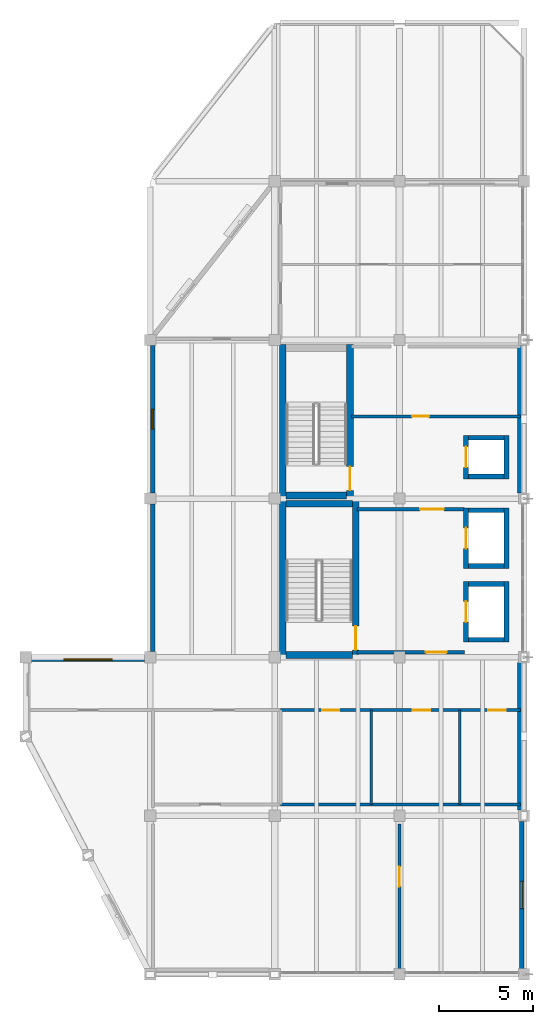
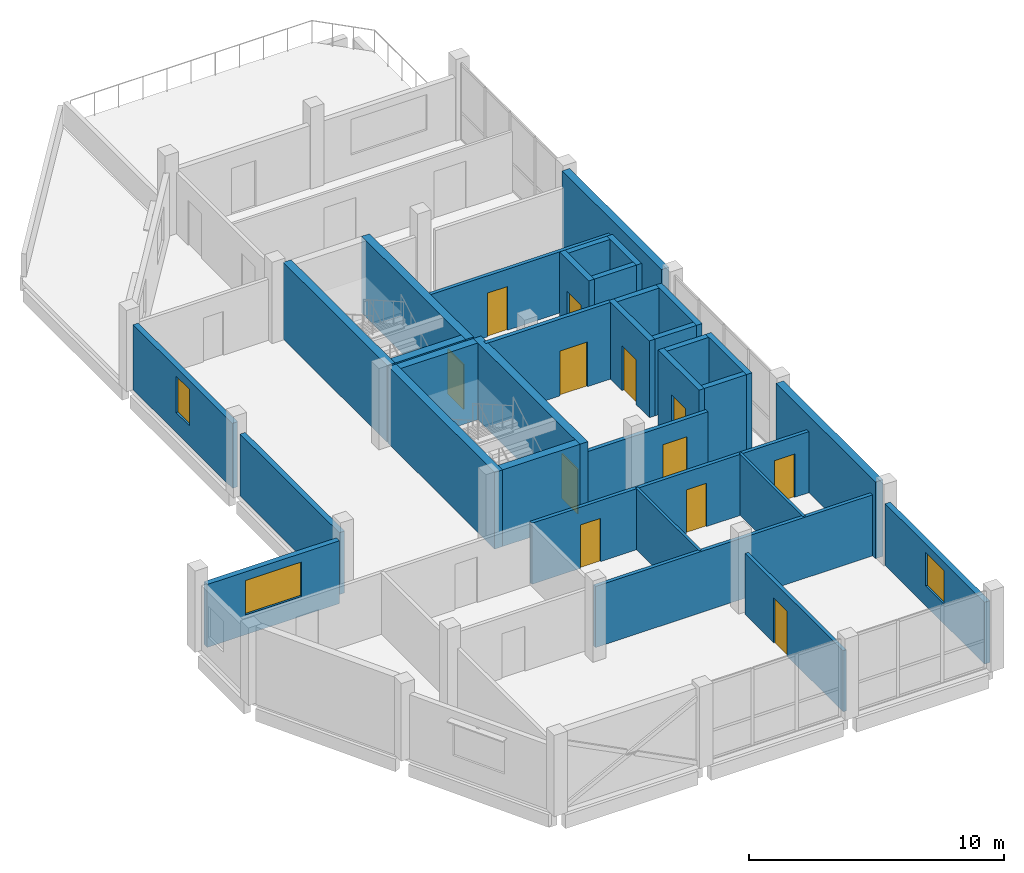
# One storey, part 6 of 10: 33 walls, 12 doors, 3 windows, 15 openings.
"""IFC4 building model written with IfcOpenShell, lengths in metres."""

from ifc_helpers import new_model, si_unit, direction, frame, frame_2d, origin, place, context, subcontext, project, spatial, rectangle, extrude, material, layer, layer_set, type_object, element, fill, save


model = new_model("IFC4")

# Units and contexts
model_context = context("Model", 3, precision=1e-05, world=origin(), true_north=direction((0.0, 1.0)))
body_context = subcontext(model_context, "Body", "Model", "MODEL_VIEW")
ifc_project = project(units=[si_unit("LENGTHUNIT", "METRE"), si_unit("AREAUNIT", "SQUARE_METRE"), si_unit("VOLUMEUNIT", "CUBIC_METRE"), si_unit("PLANEANGLEUNIT", "RADIAN"), si_unit("MASSUNIT", "GRAM", prefix="KILO")], contexts=[model_context])

# Site, building, storey
site_placement = place(None, origin())
site = spatial("IfcSite", under=ifc_project, at=site_placement, CompositionType="ELEMENT")
building_placement = place(site_placement, origin())
building = spatial("IfcBuilding", under=site, at=building_placement, Name="Qaldarim Faculty of Natural and Applied Sciences", CompositionType="ELEMENT")
storey_placement = place(building_placement, frame((0.0, 0.0, 39.300048828125)))
storey = spatial("IfcBuildingStorey", under=building, at=storey_placement, Name="L09", CompositionType="ELEMENT", Elevation=39.300048828125)

# Walls
ifc_material_1 = material(Name="Painted gypsum partition board")
ifc_layer_1 = layer(ifc_material_1, 0.1201171875)
ifc_layer_set_1 = layer_set([ifc_layer_1], Name="Painted gypsum partition board")
wall_type_1 = type_object("IfcWallType", Name="AcousticPartition-120", PredefinedType="PARTITIONING", material=ifc_layer_set_1)
for number, where, z_axis, x_axis, name in (
    (1, (170.10009765625, 9.0, 0.0), (0.0, 0.0, 1.0), (0.0, 1.0, 0.0), "Interior partition PRT-L09-V5-WCD1"),
    (2, (174.800048828125, 9.0, 0.0), (0.0, 0.0, 1.0), (0.0, 1.0, 0.0), "Interior partition PRT-L09-V5-WCD2"),
):
    element("IfcWall", number, at=place(storey_placement, frame(where, z_axis=z_axis, x_axis=x_axis)), inside=storey, type_object=wall_type_1, Name=name, PredefinedType="PARTITIONING", context=body_context, shape_type="SweptSolid", body=[
        extrude(rectangle(XDim=5.0, YDim=0.1201171875, at=frame_2d((2.5, 0.0))), origin(), (0.0, 0.0, 1.0), 2.929931640625),
    ])
ifc_material_2 = material(Name="Concrete C50/60", Category="concrete")
ifc_layer_2 = layer(ifc_material_2, 0.360107421875)
ifc_layer_set_2 = layer_set([ifc_layer_2], Name="Concrete C50/60")
wall_type_2 = type_object("IfcWallType", Name="CoreShearWall-360", PredefinedType="SHEAR", material=ifc_layer_set_2)
wall_1_placement = place(storey_placement, frame((165.419921875, 16.739990234375, 0.0), z_axis=(0.0, 0.0, 1.0), x_axis=(0.0, 1.0, 0.0)))
element("IfcWall", 3, at=wall_1_placement, inside=storey, type_object=wall_type_2, Name="Core stair ST-A1 west shear wall L09", PredefinedType="SHEAR", context=body_context, shape_type="SweptSolid", body=[
    extrude(rectangle(XDim=8.3701171875, YDim=0.360107421875, at=frame_2d((4.18505859375, 0.0))), origin(), (0.0, 0.0, 1.0), 3.679931640625),
])

# Wall, opening, door
wall_2_placement = place(storey_placement, frame((169.280029296875, 16.739990234375, 0.0), z_axis=(0.0, 0.0, 1.0), x_axis=(0.0, 1.0, 0.0)))
wall_2 = element("IfcWall", 4, at=wall_2_placement, inside=storey, type_object=wall_type_2, Name="Core stair ST-A1 east shear wall L09", PredefinedType="SHEAR", context=body_context, shape_type="SweptSolid", body=[
    extrude(rectangle(XDim=8.3701171875, YDim=0.360107421875, at=frame_2d((4.18505859375, 0.0))), origin(), (0.0, 0.0, 1.0), 3.679931640625),
])
opening_1_placement = place(wall_2_placement, frame((0.449951171875, 0.0, 0.0)))
opening_1 = element("IfcOpeningElement", 5, at=opening_1_placement, cuts=wall_2, Name="Opening ID04", PredefinedType="OPENING", context=body_context, shape_type="SweptSolid", body=[
    extrude(rectangle(XDim=1.25, YDim=2.14990234375, at=frame_2d((0.625, 1.074951171875))), frame((0.0, 0.18994140625, 0.0), z_axis=(0.0, -1.0, 0.0), x_axis=(1.0, 0.0, 0.0)), (0.0, 0.0, 1.0), 0.380126953125),
])
ifc_material_3 = material(Name="Architectural stainless steel 316", Category="steel")
door_type_1 = type_object("IfcDoorType", Name="StairEnclosureFireDoor-1250x2150", OperationType="NOTDEFINED", PredefinedType="DOOR", material=ifc_material_3)
door_1_placement = place(opening_1_placement, origin())
door_1 = element("IfcDoor", 6, at=door_1_placement, inside=storey, type_object=door_type_1, Name="Protected stair ST-A1 fire door D-L09-511", OperationType="SINGLE_SWING_LEFT", OverallHeight=2.14990234375, OverallWidth=1.25, PredefinedType="DOOR", context=body_context, shape_type="SweptSolid", body=[
    extrude(rectangle(XDim=1.25, YDim=2.14990234375, at=frame_2d((0.625, 1.074951171875))), frame((0.0, 0.02490234375, 0.0), z_axis=(0.0, -1.0, 0.0), x_axis=(1.0, 0.0, 0.0)), (0.0, 0.0, 1.0), 0.050048828125),
])
fill(opening_1, door_1)

# Walls
for number, where, z_axis, x_axis, name in (
    (7, (165.60009765625, 24.929931640625, 0.0), (0.0, 0.0, 1.0), (1.0, 0.0, 0.0), "Core stair ST-A1 north shear wall L09"),
    (8, (165.60009765625, 16.919921875, 0.0), (0.0, 0.0, 1.0), (1.0, 0.0, 0.0), "Core stair ST-A1 south shear wall L09"),
):
    element("IfcWall", number, at=place(storey_placement, frame(where, z_axis=z_axis, x_axis=x_axis)), inside=storey, type_object=wall_type_2, Name=name, PredefinedType="SHEAR", context=body_context, shape_type="SweptSolid", body=[
        extrude(rectangle(XDim=3.5, YDim=0.360107421875, at=frame_2d((1.75, 0.0))), origin(), (0.0, 0.0, 1.0), 3.679931640625),
    ])
wall_3_placement = place(storey_placement, frame((165.419921875, 25.18994140625, 0.0), z_axis=(0.0, 0.0, 1.0), x_axis=(0.0, 1.0, 0.0)))
element("IfcWall", 9, at=wall_3_placement, inside=storey, type_object=wall_type_2, Name="Core stair ST-A2 west shear wall L09", PredefinedType="SHEAR", context=body_context, shape_type="SweptSolid", body=[
    extrude(rectangle(XDim=8.170166015625, YDim=0.360107421875, at=frame_2d((4.0849609375, 0.0))), origin(), (0.0, 0.0, 1.0), 3.679931640625),
])

# Wall, opening, door
wall_4_placement = place(storey_placement, frame((168.97998046875, 25.18994140625, 0.0), z_axis=(0.0, 0.0, 1.0), x_axis=(0.0, 1.0, 0.0)))
wall_4 = element("IfcWall", 10, at=wall_4_placement, inside=storey, type_object=wall_type_2, Name="Core stair ST-A2 east shear wall L09", PredefinedType="SHEAR", context=body_context, shape_type="SweptSolid", body=[
    extrude(rectangle(XDim=8.170166015625, YDim=0.360107421875, at=frame_2d((4.0849609375, 0.0))), origin(), (0.0, 0.0, 1.0), 3.679931640625),
])
opening_2_placement = place(wall_4_placement, frame((0.449951171875, 0.0, 0.0)))
opening_2 = element("IfcOpeningElement", 11, at=opening_2_placement, cuts=wall_4, Name="Opening ID04", PredefinedType="OPENING", context=body_context, shape_type="SweptSolid", body=[
    extrude(rectangle(XDim=1.25, YDim=2.14990234375, at=frame_2d((0.625, 1.074951171875))), frame((0.0, 0.18994140625, 0.0), z_axis=(0.0, -1.0, 0.0), x_axis=(1.0, 0.0, 0.0)), (0.0, 0.0, 1.0), 0.380126953125),
])
door_2_placement = place(opening_2_placement, origin())
door_2 = element("IfcDoor", 12, at=door_2_placement, inside=storey, type_object=door_type_1, Name="Protected stair ST-A2 fire door D-L09-523", OperationType="SINGLE_SWING_LEFT", OverallHeight=2.14990234375, OverallWidth=1.25, PredefinedType="DOOR", context=body_context, shape_type="SweptSolid", body=[
    extrude(rectangle(XDim=1.25, YDim=2.14990234375, at=frame_2d((0.625, 1.074951171875))), frame((0.0, 0.02490234375, 0.0), z_axis=(0.0, -1.0, 0.0), x_axis=(1.0, 0.0, 0.0)), (0.0, 0.0, 1.0), 0.050048828125),
])
fill(opening_2, door_2)

# Wall
wall_5_placement = place(storey_placement, frame((165.60009765625, 25.3701171875, 0.0), z_axis=(0.0, 0.0, 1.0), x_axis=(1.0, 0.0, 0.0)))
element("IfcWall", 13, at=wall_5_placement, inside=storey, type_object=wall_type_2, Name="Core stair ST-A2 south shear wall L09", PredefinedType="SHEAR", context=body_context, shape_type="SweptSolid", body=[
    extrude(rectangle(XDim=3.199951171875, YDim=0.360107421875, at=frame_2d((1.60009765625, 0.0))), origin(), (0.0, 0.0, 1.0), 3.679931640625),
])

# Wall, opening, window
ifc_material_4 = material(Name="Precast concrete C40/50", Category="concrete")
ifc_layer_3 = layer(ifc_material_4, 0.239990234375)
ifc_layer_set_3 = layer_set([ifc_layer_3], Name="Precast concrete C40/50")
wall_type_3 = type_object("IfcWallType", Name="ExteriorInsulatedWall-240", PredefinedType="SOLIDWALL", material=ifc_layer_set_3)
wall_6_placement = place(storey_placement, frame((158.10498046875, 16.679931640625, 0.0), z_axis=(0.0, 0.0, 1.0), x_axis=(-1.0, 0.0, 0.0)))
wall_6 = element("IfcWall", 14, at=wall_6_placement, inside=storey, type_object=wall_type_3, Name="Exterior wall EW03 L09 N X24Y02", PredefinedType="SOLIDWALL", context=body_context, shape_type="SweptSolid", body=[
    extrude(rectangle(XDim=6.010009765625, YDim=0.239990234375, at=frame_2d((3.0048828125, 0.0))), origin(), (0.0, 0.0, 1.0), 3.014892578125),
])
opening_3_placement = place(wall_6_placement, frame((1.72998046875, 0.0, 0.949951171875)))
opening_3 = element("IfcOpeningElement", 15, at=opening_3_placement, cuts=wall_6, Name="Opening WN13", PredefinedType="OPENING", context=body_context, shape_type="SweptSolid", body=[
    extrude(rectangle(XDim=2.550048828125, YDim=1.64990234375, at=frame_2d((1.27490234375, 0.824951171875))), frame((0.0, 0.1298828125, 0.0), z_axis=(0.0, -1.0, 0.0), x_axis=(1.0, 0.0, 0.0)), (0.0, 0.0, 1.0), 0.260009765625),
])
ifc_material_5 = material(Name="Insulated low-e double glazing", Category="glass")
window_type_1 = type_object("IfcWindowType", Name="LabWindow-2550x1650", PartitioningType="TRIPLE_PANEL_VERTICAL", PredefinedType="WINDOW", material=ifc_material_5)
window_1_placement = place(opening_3_placement, origin())
window_1 = element("IfcWindow", 16, at=window_1_placement, inside=storey, type_object=window_type_1, Name="Facade window WN13 L09 N X24Y02", OverallHeight=1.64990234375, OverallWidth=2.550048828125, PartitioningType="SINGLE_PANEL", PredefinedType="WINDOW", context=body_context, shape_type="SweptSolid", body=[
    extrude(rectangle(XDim=2.550048828125, YDim=1.64990234375, at=frame_2d((1.27490234375, 0.824951171875))), frame((0.0, 0.030029296875, 0.0), z_axis=(0.0, -1.0, 0.0), x_axis=(1.0, 0.0, 0.0)), (0.0, 0.0, 1.0), 0.06005859375),
])
fill(opening_3, window_1)

# Wall
wall_7_placement = place(storey_placement, frame((158.52001953125, 24.905029296875, 0.0), z_axis=(0.0, 0.0, 1.0), x_axis=(0.0, -1.0, 0.0)))
element("IfcWall", 17, at=wall_7_placement, inside=storey, type_object=wall_type_3, Name="Exterior wall EW03 L09 W X25Y03", PredefinedType="SOLIDWALL", context=body_context, shape_type="SweptSolid", body=[
    extrude(rectangle(XDim=7.81005859375, YDim=0.239990234375, at=frame_2d((3.905029296875, 0.0))), origin(), (0.0, 0.0, 1.0), 2.96484375),
])

# Wall, opening, window
wall_8_placement = place(storey_placement, frame((158.52001953125, 33.304931640625, 0.0), z_axis=(0.0, 0.0, 1.0), x_axis=(0.0, -1.0, 0.0)))
wall_8 = element("IfcWall", 18, at=wall_8_placement, inside=storey, type_object=wall_type_3, Name="Exterior wall EW03 L09 W X25Y04", PredefinedType="SOLIDWALL", context=body_context, shape_type="SweptSolid", body=[
    extrude(rectangle(XDim=7.809814453125, YDim=0.239990234375, at=frame_2d((3.90478515625, 0.0))), origin(), (0.0, 0.0, 1.0), 3.114990234375),
])
opening_4_placement = place(wall_8_placement, frame((3.3798828125, 0.0, 0.949951171875)))
opening_4 = element("IfcOpeningElement", 19, at=opening_4_placement, cuts=wall_8, Name="Opening WN17", PredefinedType="OPENING", context=body_context, shape_type="SweptSolid", body=[
    extrude(rectangle(XDim=1.050048828125, YDim=1.75, at=frame_2d((0.52490234375, 0.875))), frame((0.0, 0.1298828125, 0.0), z_axis=(0.0, -1.0, 0.0), x_axis=(1.0, 0.0, 0.0)), (0.0, 0.0, 1.0), 0.260009765625),
])
window_type_2 = type_object("IfcWindowType", Name="StudyWindow-1050x1750", PartitioningType="SINGLE_PANEL", PredefinedType="WINDOW", material=ifc_material_5)
window_2_placement = place(opening_4_placement, origin())
window_2 = element("IfcWindow", 20, at=window_2_placement, inside=storey, type_object=window_type_2, Name="Facade window WN17 L09 W X25Y04", OverallHeight=1.75, OverallWidth=1.050048828125, PartitioningType="SINGLE_PANEL", PredefinedType="WINDOW", context=body_context, shape_type="SweptSolid", body=[
    extrude(rectangle(XDim=1.050048828125, YDim=1.75, at=frame_2d((0.52490234375, 0.875))), frame((0.0, 0.030029296875, 0.0), z_axis=(0.0, -1.0, 0.0), x_axis=(1.0, 0.0, 0.0)), (0.0, 0.0, 1.0), 0.06005859375),
])
fill(opening_4, window_2)

wall_9_placement = place(storey_placement, frame((178.080078125, 0.294921875, 0.0), z_axis=(0.0, 0.0, 1.0), x_axis=(0.0, 1.0, 0.0)))
wall_9 = element("IfcWall", 21, at=wall_9_placement, inside=storey, type_object=wall_type_3, Name="Exterior wall EW03 L09 E X27Y01", PredefinedType="SOLIDWALL", context=body_context, shape_type="SweptSolid", body=[
    extrude(rectangle(XDim=7.81005859375, YDim=0.239990234375, at=frame_2d((3.905029296875, 0.0))), origin(), (0.0, 0.0, 1.0), 2.96484375),
])
opening_5_placement = place(wall_9_placement, frame((3.179931640625, 0.0, 0.949951171875)))
opening_5 = element("IfcOpeningElement", 22, at=opening_5_placement, cuts=wall_9, Name="Opening WN32", PredefinedType="OPENING", context=body_context, shape_type="SweptSolid", body=[
    extrude(rectangle(XDim=1.449951171875, YDim=1.60009765625, at=frame_2d((0.72509765625, 0.800048828125))), frame((0.0, 0.1298828125, 0.0), z_axis=(0.0, -1.0, 0.0), x_axis=(1.0, 0.0, 0.0)), (0.0, 0.0, 1.0), 0.260009765625),
])
window_type_3 = type_object("IfcWindowType", Name="SeminarWindow-1450x1600", PartitioningType="DOUBLE_PANEL_VERTICAL", PredefinedType="WINDOW", material=ifc_material_5)
window_3_placement = place(opening_5_placement, origin())
window_3 = element("IfcWindow", 23, at=window_3_placement, inside=storey, type_object=window_type_3, Name="Facade window WN32 L09 E X27Y01", OverallHeight=1.60009765625, OverallWidth=1.449951171875, PartitioningType="SINGLE_PANEL", PredefinedType="WINDOW", context=body_context, shape_type="SweptSolid", body=[
    extrude(rectangle(XDim=1.449951171875, YDim=1.60009765625, at=frame_2d((0.72509765625, 0.800048828125))), frame((0.0, 0.030029296875, 0.0), z_axis=(0.0, -1.0, 0.0), x_axis=(1.0, 0.0, 0.0)), (0.0, 0.0, 1.0), 0.06005859375),
])
fill(opening_5, window_3)

# Walls
ifc_layer_4 = layer(ifc_material_2, 0.340087890625)
ifc_layer_set_4 = layer_set([ifc_layer_4], Name="Concrete C50/60")
wall_type_4 = type_object("IfcWallType", Name="ExteriorStairShearWall-340", PredefinedType="SHEAR", material=ifc_layer_set_4)
for number, where, z_axis, x_axis, name in (
    (24, (178.030029296875, 8.695068359375, 0.0), (0.0, 0.0, 1.0), (0.0, 1.0, 0.0), "Exterior wall EW05 L09 E X27Y02"),
    (25, (178.030029296875, 25.4951171875, 0.0), (0.0, 0.0, 1.0), (0.0, 1.0, 0.0), "Exterior wall EW05 L09 E X27Y04"),
):
    element("IfcWall", number, at=place(storey_placement, frame(where, z_axis=z_axis, x_axis=x_axis)), inside=storey, type_object=wall_type_4, Name=name, PredefinedType="SHEAR", context=body_context, shape_type="SweptSolid", body=[
        extrude(rectangle(XDim=7.809814453125, YDim=0.340087890625, at=frame_2d((3.90478515625, 0.0))), origin(), (0.0, 0.0, 1.0), 3.679931640625),
    ])

# Wall, openings, doors
ifc_material_6 = material(Name="Concrete C40/50", Category="concrete")
ifc_layer_5 = layer(ifc_material_6, 0.159912109375)
ifc_layer_set_5 = layer_set([ifc_layer_5], Name="Concrete C40/50")
wall_type_5 = type_object("IfcWallType", Name="FireCorridorWall-160", PredefinedType="PARTITIONING", material=ifc_layer_set_5)
wall_10_placement = place(storey_placement, frame((165.300048828125, 14.0, 0.0), z_axis=(0.0, 0.0, 1.0), x_axis=(1.0, 0.0, 0.0)))
wall_10 = element("IfcWall", 26, at=wall_10_placement, inside=storey, type_object=wall_type_5, Name="Interior partition PRT-L09-V5-WCN", PredefinedType="PARTITIONING", context=body_context, shape_type="SweptSolid", body=[
    extrude(rectangle(XDim=12.699951171875, YDim=0.159912109375, at=frame_2d((6.35009765625, 0.0))), origin(), (0.0, 0.0, 1.0), 2.929931640625),
])
opening_6_placement = place(wall_10_placement, frame((2.199951171875, 0.0, 0.0)))
opening_6 = element("IfcOpeningElement", 27, at=opening_6_placement, cuts=wall_10, Name="Opening ID14", PredefinedType="OPENING", context=body_context, shape_type="SweptSolid", body=[
    extrude(rectangle(XDim=0.919921875, YDim=2.080078125, at=frame_2d((0.4599609375, 1.0400390625))), frame((0.0, 0.08984375, 0.0), z_axis=(0.0, -1.0, 0.0), x_axis=(1.0, 0.0, 0.0)), (0.0, 0.0, 1.0), 0.179931640625),
])
opening_7_placement = place(wall_10_placement, frame((7.0, 0.0, 0.0)))
opening_7 = element("IfcOpeningElement", 28, at=opening_7_placement, cuts=wall_10, Name="Opening ID14", PredefinedType="OPENING", context=body_context, shape_type="SweptSolid", body=[
    extrude(rectangle(XDim=0.919921875, YDim=2.080078125, at=frame_2d((0.4599609375, 1.0400390625))), frame((0.0, 0.08984375, 0.0), z_axis=(0.0, -1.0, 0.0), x_axis=(1.0, 0.0, 0.0)), (0.0, 0.0, 1.0), 0.179931640625),
])
opening_8_placement = place(wall_10_placement, frame((11.0, 0.0, 0.0)))
opening_8 = element("IfcOpeningElement", 29, at=opening_8_placement, cuts=wall_10, Name="Opening ID14", PredefinedType="OPENING", context=body_context, shape_type="SweptSolid", body=[
    extrude(rectangle(XDim=0.919921875, YDim=2.080078125, at=frame_2d((0.4599609375, 1.0400390625))), frame((0.0, 0.08984375, 0.0), z_axis=(0.0, -1.0, 0.0), x_axis=(1.0, 0.0, 0.0)), (0.0, 0.0, 1.0), 0.179931640625),
])
ifc_material_7 = material(Name="Oak hardwood", Category="wood")
door_type_2 = type_object("IfcDoorType", Name="WashroomDoor-920x2080", OperationType="NOTDEFINED", PredefinedType="DOOR", material=ifc_material_7)
door_3_placement = place(opening_6_placement, origin())
door_3 = element("IfcDoor", 30, at=door_3_placement, inside=storey, type_object=door_type_2, Name="Interior door D-L09-131", OperationType="SINGLE_SWING_LEFT", OverallHeight=2.080078125, OverallWidth=0.919921875, PredefinedType="DOOR", context=body_context, shape_type="SweptSolid", body=[
    extrude(rectangle(XDim=0.919921875, YDim=2.080078125, at=frame_2d((0.4599609375, 1.0400390625))), frame((0.0, 0.02490234375, 0.0), z_axis=(0.0, -1.0, 0.0), x_axis=(1.0, 0.0, 0.0)), (0.0, 0.0, 1.0), 0.050048828125),
])
fill(opening_6, door_3)
door_4_placement = place(opening_7_placement, origin())
door_4 = element("IfcDoor", 31, at=door_4_placement, inside=storey, type_object=door_type_2, Name="Interior door D-L09-132", OperationType="SINGLE_SWING_RIGHT", OverallHeight=2.080078125, OverallWidth=0.919921875, PredefinedType="DOOR", context=body_context, shape_type="SweptSolid", body=[
    extrude(rectangle(XDim=0.919921875, YDim=2.080078125, at=frame_2d((0.4599609375, 1.0400390625))), frame((0.0, 0.02490234375, 0.0), z_axis=(0.0, -1.0, 0.0), x_axis=(1.0, 0.0, 0.0)), (0.0, 0.0, 1.0), 0.050048828125),
])
fill(opening_7, door_4)
door_5_placement = place(opening_8_placement, origin())
door_5 = element("IfcDoor", 32, at=door_5_placement, inside=storey, type_object=door_type_2, Name="Interior door D-L09-133", OperationType="SINGLE_SWING_LEFT", OverallHeight=2.080078125, OverallWidth=0.919921875, PredefinedType="DOOR", context=body_context, shape_type="SweptSolid", body=[
    extrude(rectangle(XDim=0.919921875, YDim=2.080078125, at=frame_2d((0.4599609375, 1.0400390625))), frame((0.0, 0.02490234375, 0.0), z_axis=(0.0, -1.0, 0.0), x_axis=(1.0, 0.0, 0.0)), (0.0, 0.0, 1.0), 0.050048828125),
])
fill(opening_8, door_5)

# Wall
wall_11_placement = place(storey_placement, frame((165.300048828125, 9.0, 0.0), z_axis=(0.0, 0.0, 1.0), x_axis=(1.0, 0.0, 0.0)))
element("IfcWall", 33, at=wall_11_placement, inside=storey, type_object=wall_type_5, Name="Interior partition PRT-L09-V5-WCS", PredefinedType="PARTITIONING", context=body_context, shape_type="SweptSolid", body=[
    extrude(rectangle(XDim=12.699951171875, YDim=0.159912109375, at=frame_2d((6.35009765625, 0.0))), origin(), (0.0, 0.0, 1.0), 2.929931640625),
])

# Wall, opening, door
wall_12_placement = place(storey_placement, frame((171.60009765625, 0.25, 0.0), z_axis=(0.0, 0.0, 1.0), x_axis=(0.0, 1.0, 0.0)))
wall_12 = element("IfcWall", 34, at=wall_12_placement, inside=storey, type_object=wall_type_5, Name="Interior partition PRT-L09-U-D1", PredefinedType="PARTITIONING", context=body_context, shape_type="SweptSolid", body=[
    extrude(rectangle(XDim=7.699951171875, YDim=0.159912109375, at=frame_2d((3.85009765625, 0.0))), origin(), (0.0, 0.0, 1.0), 2.929931640625),
])
opening_9_placement = place(wall_12_placement, frame((4.39990234375, 0.0, 0.0)))
opening_9 = element("IfcOpeningElement", 35, at=opening_9_placement, cuts=wall_12, Name="Opening ID02", PredefinedType="OPENING", context=body_context, shape_type="SweptSolid", body=[
    extrude(rectangle(XDim=1.050048828125, YDim=2.14990234375, at=frame_2d((0.52490234375, 1.074951171875))), frame((0.0, 0.08984375, 0.0), z_axis=(0.0, -1.0, 0.0), x_axis=(1.0, 0.0, 0.0)), (0.0, 0.0, 1.0), 0.179931640625),
])
door_type_3 = type_object("IfcDoorType", Name="AccessibleRoomDoor-1050x2150", OperationType="NOTDEFINED", PredefinedType="DOOR", material=ifc_material_7)
door_6_placement = place(opening_9_placement, origin())
door_6 = element("IfcDoor", 36, at=door_6_placement, inside=storey, type_object=door_type_3, Name="Interior door D-L09-285", OperationType="SINGLE_SWING_LEFT", OverallHeight=2.14990234375, OverallWidth=1.050048828125, PredefinedType="DOOR", context=body_context, shape_type="SweptSolid", body=[
    extrude(rectangle(XDim=1.050048828125, YDim=2.14990234375, at=frame_2d((0.52490234375, 1.074951171875))), frame((0.0, 0.02490234375, 0.0), z_axis=(0.0, -1.0, 0.0), x_axis=(1.0, 0.0, 0.0)), (0.0, 0.0, 1.0), 0.050048828125),
])
fill(opening_9, door_6)

wall_13_placement = place(storey_placement, frame((169.070068359375, 29.550048828125, 0.0), z_axis=(0.0, 0.0, 1.0), x_axis=(1.0, 0.0, 0.0)))
wall_13 = element("IfcWall", 37, at=wall_13_placement, inside=storey, type_object=wall_type_5, Name="Interior partition PRT-L09-V5-NES", PredefinedType="PARTITIONING", context=body_context, shape_type="SweptSolid", body=[
    extrude(rectangle(XDim=8.929931640625, YDim=0.159912109375, at=frame_2d((4.46484375, 0.0))), origin(), (0.0, 0.0, 1.0), 2.929931640625),
])
opening_10_placement = place(wall_13_placement, frame((3.199951171875, 0.0, 0.0)))
opening_10 = element("IfcOpeningElement", 38, at=opening_10_placement, cuts=wall_13, Name="Opening ID07", PredefinedType="OPENING", context=body_context, shape_type="SweptSolid", body=[
    extrude(rectangle(XDim=0.89990234375, YDim=2.10009765625, at=frame_2d((0.449951171875, 1.050048828125))), frame((0.0, 0.08984375, 0.0), z_axis=(0.0, -1.0, 0.0), x_axis=(1.0, 0.0, 0.0)), (0.0, 0.0, 1.0), 0.179931640625),
])
door_type_4 = type_object("IfcDoorType", Name="OfficeStudyDoor-900x2100", OperationType="NOTDEFINED", PredefinedType="DOOR", material=ifc_material_7)
door_7_placement = place(opening_10_placement, origin())
door_7 = element("IfcDoor", 39, at=door_7_placement, inside=storey, type_object=door_type_4, Name="Interior door D-L09-429", OperationType="SINGLE_SWING_LEFT", OverallHeight=2.10009765625, OverallWidth=0.89990234375, PredefinedType="DOOR", context=body_context, shape_type="SweptSolid", body=[
    extrude(rectangle(XDim=0.89990234375, YDim=2.10009765625, at=frame_2d((0.449951171875, 1.050048828125))), frame((0.0, 0.02490234375, 0.0), z_axis=(0.0, -1.0, 0.0), x_axis=(1.0, 0.0, 0.0)), (0.0, 0.0, 1.0), 0.050048828125),
])
fill(opening_10, door_7)

ifc_layer_6 = layer(ifc_material_6, 0.179931640625)
ifc_layer_set_6 = layer_set([ifc_layer_6], Name="Concrete C40/50")
wall_type_6 = type_object("IfcWallType", Name="LabFireCompartmentWall-180", PredefinedType="SOLIDWALL", material=ifc_layer_set_6)
wall_14_placement = place(storey_placement, frame((169.35009765625, 24.639892578125, 0.0), z_axis=(0.0, 0.0, 1.0), x_axis=(1.0, 0.0, 0.0)))
wall_14 = element("IfcWall", 40, at=wall_14_placement, inside=storey, type_object=wall_type_6, Name="Fire-fighting lobby compartment wall Core A L09", PredefinedType="SOLIDWALL", context=body_context, shape_type="SweptSolid", body=[
    extrude(rectangle(XDim=5.699951171875, YDim=0.179931640625, at=frame_2d((2.85009765625, 0.0))), origin(), (0.0, 0.0, 1.0), 3.679931640625),
])
opening_11_placement = place(wall_14_placement, frame((3.35009765625, 0.0, 0.0)))
opening_11 = element("IfcOpeningElement", 41, at=opening_11_placement, cuts=wall_14, Name="Opening ID04", PredefinedType="OPENING", context=body_context, shape_type="SweptSolid", body=[
    extrude(rectangle(XDim=1.25, YDim=2.14990234375, at=frame_2d((0.625, 1.074951171875))), frame((0.0, 0.099853515625, 0.0), z_axis=(0.0, -1.0, 0.0), x_axis=(1.0, 0.0, 0.0)), (0.0, 0.0, 1.0), 0.199951171875),
])
door_8_placement = place(opening_11_placement, frame((1.25, 0.0, 0.0), z_axis=(0.0, 0.0, 1.0), x_axis=(-1.0, 0.0, 0.0)))
door_8 = element("IfcDoor", 42, at=door_8_placement, inside=storey, type_object=door_type_1, Name="Fire-fighting lobby door Core A D-L09-616", OperationType="SINGLE_SWING_RIGHT", OverallHeight=2.14990234375, OverallWidth=1.25, PredefinedType="DOOR", context=body_context, shape_type="SweptSolid", body=[
    extrude(rectangle(XDim=1.25, YDim=2.14990234375, at=frame_2d((0.625, 1.074951171875))), frame((0.0, 0.02490234375, 0.0), z_axis=(0.0, -1.0, 0.0), x_axis=(1.0, 0.0, 0.0)), (0.0, 0.0, 1.0), 0.050048828125),
])
fill(opening_11, door_8)

wall_15_placement = place(storey_placement, frame((169.35009765625, 17.06005859375, 0.0), z_axis=(0.0, 0.0, 1.0), x_axis=(1.0, 0.0, 0.0)))
wall_15 = element("IfcWall", 43, at=wall_15_placement, inside=storey, type_object=wall_type_6, Name="Fire-fighting lobby south wall Core A L09", PredefinedType="SOLIDWALL", context=body_context, shape_type="SweptSolid", body=[
    extrude(rectangle(XDim=5.699951171875, YDim=0.179931640625, at=frame_2d((2.85009765625, 0.0))), origin(), (0.0, 0.0, 1.0), 3.014892578125),
])
opening_12_placement = place(wall_15_placement, frame((3.64990234375, 0.0, 0.0)))
opening_12 = element("IfcOpeningElement", 44, at=opening_12_placement, cuts=wall_15, Name="Opening ID03", PredefinedType="OPENING", context=body_context, shape_type="SweptSolid", body=[
    extrude(rectangle(XDim=1.10009765625, YDim=2.14990234375, at=frame_2d((0.550048828125, 1.074951171875))), frame((0.0, 0.099853515625, 0.0), z_axis=(0.0, -1.0, 0.0), x_axis=(1.0, 0.0, 0.0)), (0.0, 0.0, 1.0), 0.199951171875),
])
door_type_5 = type_object("IfcDoorType", Name="FireLobbyDoor-1100x2150", OperationType="NOTDEFINED", PredefinedType="DOOR", material=ifc_material_7)
door_9_placement = place(opening_12_placement, origin())
door_9 = element("IfcDoor", 45, at=door_9_placement, inside=storey, type_object=door_type_5, Name="Fire-fighting lobby corridor door Core A D-L09-617", OperationType="SINGLE_SWING_LEFT", OverallHeight=2.14990234375, OverallWidth=1.10009765625, PredefinedType="DOOR", context=body_context, shape_type="SweptSolid", body=[
    extrude(rectangle(XDim=1.10009765625, YDim=2.14990234375, at=frame_2d((0.550048828125, 1.074951171875))), frame((0.0, 0.02490234375, 0.0), z_axis=(0.0, -1.0, 0.0), x_axis=(1.0, 0.0, 0.0)), (0.0, 0.0, 1.0), 0.050048828125),
])
fill(opening_12, door_9)

ifc_layer_7 = layer(ifc_material_6, 0.25)
ifc_layer_set_7 = layer_set([ifc_layer_7], Name="Concrete C40/50")
wall_type_7 = type_object("IfcWallType", Name="LiftShaftWall-250", PredefinedType="SHEAR", material=ifc_layer_set_7)
wall_16_placement = place(storey_placement, frame((175.125, 17.60009765625, 0.0), z_axis=(0.0, 0.0, 1.0), x_axis=(0.0, 1.0, 0.0)))
wall_16 = element("IfcWall", 46, at=wall_16_placement, inside=storey, type_object=wall_type_7, Name="Lift LF-A1 front shaft wall L09", PredefinedType="SHEAR", context=body_context, shape_type="SweptSolid", body=[
    extrude(rectangle(XDim=3.199951171875, YDim=0.25, at=frame_2d((1.60009765625, 0.0))), origin(), (0.0, 0.0, 1.0), 3.679931640625),
])
opening_13_placement = place(wall_16_placement, frame((1.050048828125, 0.0, 0.0)))
opening_13 = element("IfcOpeningElement", 47, at=opening_13_placement, cuts=wall_16, Name="Opening LD01", PredefinedType="OPENING", context=body_context, shape_type="SweptSolid", body=[
    extrude(rectangle(XDim=1.10009765625, YDim=2.14990234375, at=frame_2d((0.550048828125, 1.074951171875))), frame((0.0, 0.135009765625, 0.0), z_axis=(0.0, -1.0, 0.0), x_axis=(1.0, 0.0, 0.0)), (0.0, 0.0, 1.0), 0.27001953125),
])
door_type_6 = type_object("IfcDoorType", Name="LiftLandingSlidingDoor-1100x2150", OperationType="NOTDEFINED", PredefinedType="DOOR", material=ifc_material_3)
door_10_placement = place(opening_13_placement, origin())
door_10 = element("IfcDoor", 48, at=door_10_placement, inside=storey, type_object=door_type_6, Name="Lift landing sliding door LF-A1 D-L09-567", OperationType="SLIDING_TO_LEFT", OverallHeight=2.14990234375, OverallWidth=1.10009765625, PredefinedType="DOOR", context=body_context, shape_type="SweptSolid", body=[
    extrude(rectangle(XDim=1.10009765625, YDim=2.14990234375, at=frame_2d((0.550048828125, 1.074951171875))), frame((0.0, 0.02490234375, 0.0), z_axis=(0.0, -1.0, 0.0), x_axis=(1.0, 0.0, 0.0)), (0.0, 0.0, 1.0), 0.050048828125),
])
fill(opening_13, door_10)

# Walls
wall_17_placement = place(storey_placement, frame((177.27490234375, 17.60009765625, 0.0), z_axis=(0.0, 0.0, 1.0), x_axis=(0.0, 1.0, 0.0)))
element("IfcWall", 49, at=wall_17_placement, inside=storey, type_object=wall_type_7, Name="Lift LF-A1 rear shaft wall L09", PredefinedType="SHEAR", context=body_context, shape_type="SweptSolid", body=[
    extrude(rectangle(XDim=3.199951171875, YDim=0.25, at=frame_2d((1.60009765625, 0.0))), origin(), (0.0, 0.0, 1.0), 3.679931640625),
])
for number, where, z_axis, x_axis, name in (
    (50, (175.25, 17.72509765625, 0.0), (0.0, 0.0, 1.0), (1.0, 0.0, 0.0), "Lift LF-A1 south shaft wall L09"),
    (51, (175.25, 20.675048828125, 0.0), (0.0, 0.0, 1.0), (1.0, 0.0, 0.0), "Lift LF-A1 north shaft wall L09"),
):
    element("IfcWall", number, at=place(storey_placement, frame(where, z_axis=z_axis, x_axis=x_axis)), inside=storey, type_object=wall_type_7, Name=name, PredefinedType="SHEAR", context=body_context, shape_type="SweptSolid", body=[
        extrude(rectangle(XDim=1.89990234375, YDim=0.25, at=frame_2d((0.949951171875, 0.0))), origin(), (0.0, 0.0, 1.0), 3.679931640625),
    ])

# Wall, opening, door
wall_18_placement = place(storey_placement, frame((175.125, 21.5, 0.0), z_axis=(0.0, 0.0, 1.0), x_axis=(0.0, 1.0, 0.0)))
wall_18 = element("IfcWall", 52, at=wall_18_placement, inside=storey, type_object=wall_type_7, Name="Lift LF-A2 front shaft wall L09", PredefinedType="SHEAR", context=body_context, shape_type="SweptSolid", body=[
    extrude(rectangle(XDim=3.199951171875, YDim=0.25, at=frame_2d((1.60009765625, 0.0))), origin(), (0.0, 0.0, 1.0), 3.679931640625),
])
opening_14_placement = place(wall_18_placement, frame((1.050048828125, 0.0, 0.0)))
opening_14 = element("IfcOpeningElement", 53, at=opening_14_placement, cuts=wall_18, Name="Opening LD01", PredefinedType="OPENING", context=body_context, shape_type="SweptSolid", body=[
    extrude(rectangle(XDim=1.10009765625, YDim=2.14990234375, at=frame_2d((0.550048828125, 1.074951171875))), frame((0.0, 0.135009765625, 0.0), z_axis=(0.0, -1.0, 0.0), x_axis=(1.0, 0.0, 0.0)), (0.0, 0.0, 1.0), 0.27001953125),
])
door_11_placement = place(opening_14_placement, origin())
door_11 = element("IfcDoor", 54, at=door_11_placement, inside=storey, type_object=door_type_6, Name="Lift landing sliding door LF-A2 D-L09-580", OperationType="SLIDING_TO_LEFT", OverallHeight=2.14990234375, OverallWidth=1.10009765625, PredefinedType="DOOR", context=body_context, shape_type="SweptSolid", body=[
    extrude(rectangle(XDim=1.10009765625, YDim=2.14990234375, at=frame_2d((0.550048828125, 1.074951171875))), frame((0.0, 0.02490234375, 0.0), z_axis=(0.0, -1.0, 0.0), x_axis=(1.0, 0.0, 0.0)), (0.0, 0.0, 1.0), 0.050048828125),
])
fill(opening_14, door_11)

# Walls
wall_19_placement = place(storey_placement, frame((177.27490234375, 21.5, 0.0), z_axis=(0.0, 0.0, 1.0), x_axis=(0.0, 1.0, 0.0)))
element("IfcWall", 55, at=wall_19_placement, inside=storey, type_object=wall_type_7, Name="Lift LF-A2 rear shaft wall L09", PredefinedType="SHEAR", context=body_context, shape_type="SweptSolid", body=[
    extrude(rectangle(XDim=3.199951171875, YDim=0.25, at=frame_2d((1.60009765625, 0.0))), origin(), (0.0, 0.0, 1.0), 3.679931640625),
])
for number, where, z_axis, x_axis, name in (
    (56, (175.25, 21.625, 0.0), (0.0, 0.0, 1.0), (1.0, 0.0, 0.0), "Lift LF-A2 south shaft wall L09"),
    (57, (175.25, 24.574951171875, 0.0), (0.0, 0.0, 1.0), (1.0, 0.0, 0.0), "Lift LF-A2 north shaft wall L09"),
):
    element("IfcWall", number, at=place(storey_placement, frame(where, z_axis=z_axis, x_axis=x_axis)), inside=storey, type_object=wall_type_7, Name=name, PredefinedType="SHEAR", context=body_context, shape_type="SweptSolid", body=[
        extrude(rectangle(XDim=1.89990234375, YDim=0.25, at=frame_2d((0.949951171875, 0.0))), origin(), (0.0, 0.0, 1.0), 3.679931640625),
    ])

# Wall, opening, door
wall_20_placement = place(storey_placement, frame((175.125, 26.25, 0.0), z_axis=(0.0, 0.0, 1.0), x_axis=(0.0, 1.0, 0.0)))
wall_20 = element("IfcWall", 58, at=wall_20_placement, inside=storey, type_object=wall_type_7, Name="Lift LF-A3 front shaft wall L09", PredefinedType="SHEAR", context=body_context, shape_type="SweptSolid", body=[
    extrude(rectangle(XDim=2.300048828125, YDim=0.25, at=frame_2d((1.14990234375, 0.0))), origin(), (0.0, 0.0, 1.0), 3.679931640625),
])
opening_15_placement = place(wall_20_placement, frame((0.60009765625, 0.0, 0.0)))
opening_15 = element("IfcOpeningElement", 59, at=opening_15_placement, cuts=wall_20, Name="Opening LD01", PredefinedType="OPENING", context=body_context, shape_type="SweptSolid", body=[
    extrude(rectangle(XDim=1.10009765625, YDim=2.14990234375, at=frame_2d((0.550048828125, 1.074951171875))), frame((0.0, 0.135009765625, 0.0), z_axis=(0.0, -1.0, 0.0), x_axis=(1.0, 0.0, 0.0)), (0.0, 0.0, 1.0), 0.27001953125),
])
door_12_placement = place(opening_15_placement, origin())
door_12 = element("IfcDoor", 60, at=door_12_placement, inside=storey, type_object=door_type_6, Name="Lift landing sliding door LF-A3 D-L09-593", OperationType="SLIDING_TO_LEFT", OverallHeight=2.14990234375, OverallWidth=1.10009765625, PredefinedType="DOOR", context=body_context, shape_type="SweptSolid", body=[
    extrude(rectangle(XDim=1.10009765625, YDim=2.14990234375, at=frame_2d((0.550048828125, 1.074951171875))), frame((0.0, 0.02490234375, 0.0), z_axis=(0.0, -1.0, 0.0), x_axis=(1.0, 0.0, 0.0)), (0.0, 0.0, 1.0), 0.050048828125),
])
fill(opening_15, door_12)

# Walls
wall_21_placement = place(storey_placement, frame((177.27490234375, 26.25, 0.0), z_axis=(0.0, 0.0, 1.0), x_axis=(0.0, 1.0, 0.0)))
element("IfcWall", 61, at=wall_21_placement, inside=storey, type_object=wall_type_7, Name="Lift LF-A3 rear shaft wall L09", PredefinedType="SHEAR", context=body_context, shape_type="SweptSolid", body=[
    extrude(rectangle(XDim=2.300048828125, YDim=0.25, at=frame_2d((1.14990234375, 0.0))), origin(), (0.0, 0.0, 1.0), 3.679931640625),
])
for number, where, z_axis, x_axis, name in (
    (62, (175.25, 26.375, 0.0), (0.0, 0.0, 1.0), (1.0, 0.0, 0.0), "Lift LF-A3 south shaft wall L09"),
    (63, (175.25, 28.425048828125, 0.0), (0.0, 0.0, 1.0), (1.0, 0.0, 0.0), "Lift LF-A3 north shaft wall L09"),
):
    element("IfcWall", number, at=place(storey_placement, frame(where, z_axis=z_axis, x_axis=x_axis)), inside=storey, type_object=wall_type_7, Name=name, PredefinedType="SHEAR", context=body_context, shape_type="SweptSolid", body=[
        extrude(rectangle(XDim=1.89990234375, YDim=0.25, at=frame_2d((0.949951171875, 0.0))), origin(), (0.0, 0.0, 1.0), 3.679931640625),
    ])

save(model, "model.ifc")
